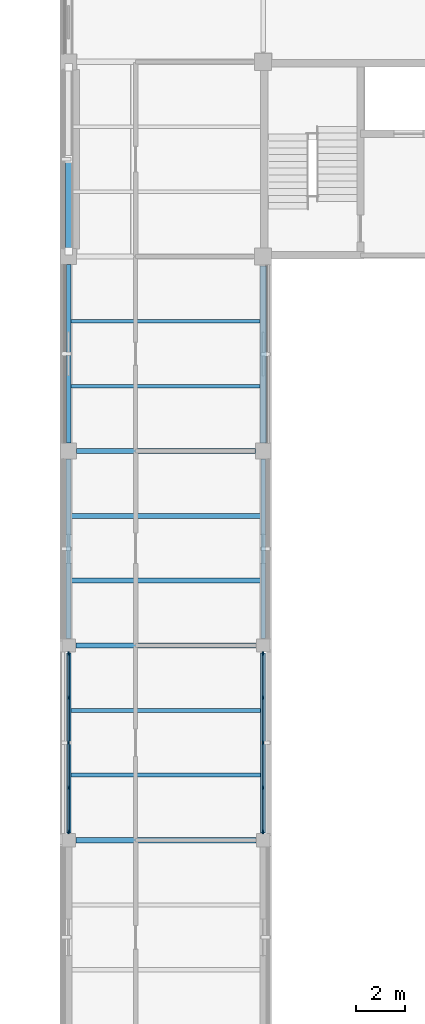
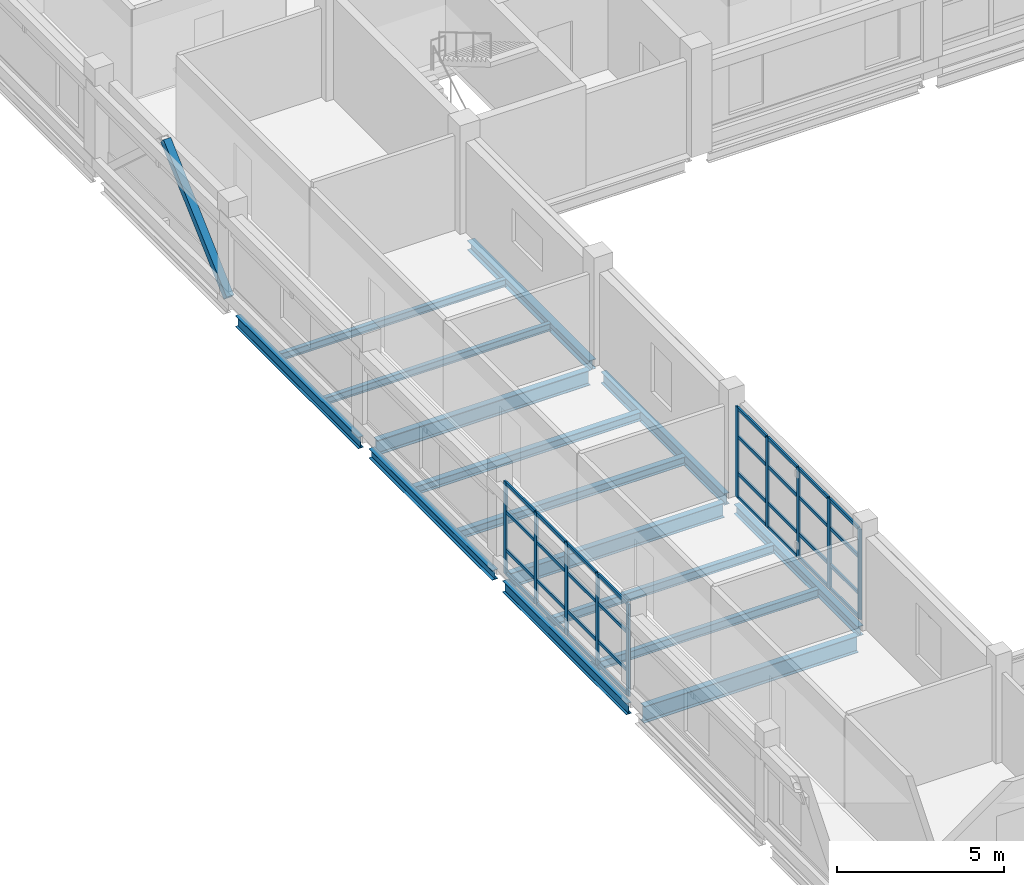
# One storey, part 27 of 107: 43 members, 15 beams, 2 elements without a shape of their own.
"""IFC4 building model written with IfcOpenShell, lengths in metres."""

import ifcopenshell
import ifcopenshell.guid

model = None  # the IFC model being written
_history = None  # IfcOwnerHistory: only IFC2X3 demands one
_inside = {}  # id of a spatial element -> (the spatial element, [elements in it])
_under = {}  # id of a project, library or spatial element -> (it, [spatial elements below it])
_declared = {}  # id of a project -> (the project, [libraries it declares])
_typed = {}  # id of a type object -> (the type object, [elements of that type])
_made_of = {}  # id of a material, layer set ... -> (it, [elements and type objects made of it])


def new_model(schema):
    """Start an empty IFC model of exactly this schema.

    Asked for "IFC4X3", IfcOpenShell would pick the latest addendum, in which some entities
    have other attributes; the version numbers below select the first issue.
    IFC2X3 requires an IfcOwnerHistory on every rooted entity: one is made here for all.
    """
    global model, _history
    if schema == "IFC4X3":
        model = ifcopenshell.file(schema_version=(4, 3, 0, 0))
    else:
        model = ifcopenshell.file(schema=schema)
    _inside.clear()
    _under.clear()
    _declared.clear()
    _typed.clear()
    _made_of.clear()
    _history = None
    if model.schema == "IFC2X3":
        org = make("IfcOrganization", Name="unknown")
        user = make(
            "IfcPersonAndOrganization",
            ThePerson=make("IfcPerson", FamilyName="unknown"),
            TheOrganization=org,
        )
        app = make(
            "IfcApplication",
            ApplicationDeveloper=org,
            Version="unknown",
            ApplicationFullName="unknown",
            ApplicationIdentifier="unknown",
        )
        _history = make(
            "IfcOwnerHistory",
            OwningUser=user,
            OwningApplication=app,
            ChangeAction="ADDED",
            CreationDate=0,
        )
    return model


def make(cls, **values):
    """One entity of the class cls with the attributes given. An attribute that is None is left unset."""
    return model.create_entity(
        cls, **{name: value for name, value in values.items() if value is not None}
    )


def rooted(cls, **values):
    """An entity with a GlobalId (a new one), such as an element, a storey or a relation."""
    return make(cls, GlobalId=ifcopenshell.guid.new(), OwnerHistory=_history, **values)


def si_unit(unit_type, name, prefix=None):
    """IfcSIUnit, for example si_unit("LENGTHUNIT", "METRE", prefix="MILLI")."""
    return make("IfcSIUnit", UnitType=unit_type, Prefix=prefix, Name=name)


def derived_unit(unit_type, elements):
    """IfcDerivedUnit: a product of units, each with its exponent."""
    return make(
        "IfcDerivedUnit",
        Elements=[
            make("IfcDerivedUnitElement", Unit=unit, Exponent=power)
            for unit, power in elements
        ],
        UnitType=unit_type,
    )


def assignment(units):
    """IfcUnitAssignment: the units of a project."""
    return None if units is None else make("IfcUnitAssignment", Units=units)


def point(xyz):
    """IfcCartesianPoint."""
    return None if xyz is None else make("IfcCartesianPoint", Coordinates=xyz)


def direction(xyz):
    """IfcDirection."""
    return None if xyz is None else make("IfcDirection", DirectionRatios=xyz)


def frame(location, z_axis=None, x_axis=None):
    """IfcAxis2Placement3D, a coordinate frame: its origin and axes. An axis left out is left unset."""
    return make(
        "IfcAxis2Placement3D",
        Location=point(location),
        Axis=direction(z_axis),
        RefDirection=direction(x_axis),
    )


def frame_2d(location, x_axis=None):
    """IfcAxis2Placement2D, a coordinate frame in the plane: its origin and x axis."""
    return make(
        "IfcAxis2Placement2D", Location=point(location), RefDirection=direction(x_axis)
    )


def origin():
    """The frame at (0, 0, 0) with its axes left unset."""
    return frame((0.0, 0.0, 0.0))


def origin_2d():
    """The frame at (0, 0) in the plane with its x axis left unset."""
    return frame_2d((0.0, 0.0))


def place(relative_to, where):
    """IfcLocalPlacement: puts the frame where relative to a parent placement (None: the world)."""
    return make(
        "IfcLocalPlacement", PlacementRelTo=relative_to, RelativePlacement=where
    )


def context(
    kind, dimensions, precision=None, world=None, true_north=None, identifier=None
):
    """IfcGeometricRepresentationContext, for example the 3D "Model" context."""
    return make(
        "IfcGeometricRepresentationContext",
        ContextIdentifier=identifier,
        ContextType=kind,
        CoordinateSpaceDimension=dimensions,
        Precision=precision,
        WorldCoordinateSystem=world,
        TrueNorth=true_north,
    )


def subcontext(parent, identifier, kind, view, scale=None):
    """IfcGeometricRepresentationSubContext, for example "Body" below "Model"."""
    return make(
        "IfcGeometricRepresentationSubContext",
        ContextIdentifier=identifier,
        ContextType=kind,
        ParentContext=parent,
        TargetScale=scale,
        TargetView=view,
    )


def project(units=None, contexts=None):
    """IfcProject with its units and contexts."""
    return rooted(
        "IfcProject",
        Name="project",
        RepresentationContexts=contexts,
        UnitsInContext=assignment(units),
    )


def spatial(cls, under=None, at=None, **own):
    """A site, building, storey or space (cls), placed at a placement, below another one or the project."""
    s = rooted(cls, ObjectPlacement=at, **own)
    if under is not None:
        _under.setdefault(under.id(), (under, []))[1].append(s)
    return s


def profile(cls, at=None, kind="AREA", **sizes):
    """A parametric profile (cls). Its sizes go by their IFC names, for example OverallWidth=200.0."""
    return make(cls, ProfileType=kind, Position=at, **sizes)


def rectangle(**sizes):
    """IfcRectangleProfileDef."""
    return profile("IfcRectangleProfileDef", **sizes)


def hollow_rectangle(**sizes):
    """IfcRectangleHollowProfileDef."""
    return profile("IfcRectangleHollowProfileDef", **sizes)


def i_section(**sizes):
    """IfcIShapeProfileDef."""
    return profile("IfcIShapeProfileDef", **sizes)


def extrude(swept, where, along, depth):
    """IfcExtrudedAreaSolid: the profile swept, set in the frame where, extruded along a direction by depth."""
    return make(
        "IfcExtrudedAreaSolid",
        SweptArea=swept,
        Position=where,
        ExtrudedDirection=direction(along),
        Depth=depth,
    )


def shape(context_of_items, identifier, shape_type, items):
    """IfcShapeRepresentation: the items that make up one representation, for example the "Body"."""
    return make(
        "IfcShapeRepresentation",
        ContextOfItems=context_of_items,
        RepresentationIdentifier=identifier,
        RepresentationType=shape_type,
        Items=items,
    )


def material(Name=None, Category=None):
    """IfcMaterial."""
    return make("IfcMaterial", Name=Name, Category=Category)


def layer(
    of_material, thickness, ventilated=None, Name=None, Category=None, Priority=None
):
    """IfcMaterialLayer: one layer of a wall or slab, of a material (None: an air gap)."""
    return make(
        "IfcMaterialLayer",
        Material=of_material,
        LayerThickness=thickness,
        IsVentilated=ventilated,
        Name=Name,
        Category=Category,
        Priority=Priority,
    )


def layer_set(layers, Name=None):
    """IfcMaterialLayerSet."""
    return make("IfcMaterialLayerSet", MaterialLayers=layers, LayerSetName=Name)


def material_profile(
    of_material, cross_section, Name=None, Category=None, Priority=None
):
    """IfcMaterialProfile: a cross section and its material."""
    return make(
        "IfcMaterialProfile",
        Name=Name,
        Material=of_material,
        Profile=cross_section,
        Priority=Priority,
        Category=Category,
    )


def profile_set(profiles, Name=None, composite=None):
    """IfcMaterialProfileSet."""
    return make(
        "IfcMaterialProfileSet",
        Name=Name,
        MaterialProfiles=profiles,
        CompositeProfile=composite,
    )


def made_of(thing, what):
    """Note that an element or type object is made of a material, layer set ...; save() writes the relation."""
    if what is not None:
        _made_of.setdefault(what.id(), (what, []))[1].append(thing)
    return thing


def type_object(cls, material=None, **own):
    """A type object (cls), such as IfcWallType, which elements share."""
    return made_of(rooted(cls, **own), material)


def element(
    cls,
    number,
    at=None,
    inside=None,
    cuts=None,
    type_object=None,
    material=None,
    context=None,
    identifier="Body",
    shape_type=None,
    held_by="IfcProductDefinitionShape",
    body=None,
    shapes=None,
    **own,
):
    """One element of the class cls, such as IfcWall. Its Tag is "e" and its number.

    at: its placement. inside: the storey or other place that contains it. cuts: it is an
    opening in that element (IfcRelVoidsElement). A single representation is given by context,
    identifier, shape_type and body (its items); several are given by shapes. held_by: the class
    of the entity that holds the representations. save() writes the other relations.
    """
    e = rooted(cls, Tag="e%d" % number, ObjectPlacement=at, **own)
    if body is not None:
        shapes = [shape(context, identifier, shape_type, body)]
    if shapes is not None:
        e.Representation = make(held_by, Representations=shapes)
    if inside is not None:
        _inside.setdefault(inside.id(), (inside, []))[1].append(e)
    if cuts is not None:
        rooted(
            "IfcRelVoidsElement", RelatingBuildingElement=cuts, RelatedOpeningElement=e
        )
    if type_object is not None:
        _typed.setdefault(type_object.id(), (type_object, []))[1].append(e)
    return made_of(e, material)


def aggregate(whole, parts):
    """IfcRelAggregates: a whole, such as a stair, and the parts it consists of."""
    return rooted("IfcRelAggregates", RelatingObject=whole, RelatedObjects=parts)


def save(model, path):
    """Write the relations noted so far, then the file.

    IfcRelAggregates (storeys below a building ...), IfcRelContainedInSpatialStructure (elements
    in a storey), IfcRelDefinesByType, IfcRelAssociatesMaterial and IfcRelDeclares: one each for
    every whole, place, type object, material and project.
    """
    for whole, parts in _under.values():
        aggregate(whole, parts)
    for where, things in _inside.values():
        rooted(
            "IfcRelContainedInSpatialStructure",
            RelatedElements=things,
            RelatingStructure=where,
        )
    for kind, things in _typed.values():
        rooted("IfcRelDefinesByType", RelatedObjects=things, RelatingType=kind)
    for what, things in _made_of.values():
        rooted("IfcRelAssociatesMaterial", RelatedObjects=things, RelatingMaterial=what)
    for by, libraries in _declared.values():
        rooted("IfcRelDeclares", RelatingContext=by, RelatedDefinitions=libraries)
    model.write(path)


model = new_model("IFC4")

# Units and contexts
model_context = context("Model", 3, precision=1e-05, world=origin(), true_north=direction((0.0, 1.0)))
body_context = subcontext(model_context, "Body", "Model", "MODEL_VIEW")
ifc_project = project(units=[si_unit("LENGTHUNIT", "METRE"), si_unit("AREAUNIT", "SQUARE_METRE"), si_unit("VOLUMEUNIT", "CUBIC_METRE"), si_unit("PLANEANGLEUNIT", "RADIAN"), si_unit("MASSUNIT", "GRAM", prefix="KILO"), derived_unit("THERMALTRANSMITTANCEUNIT", [(si_unit("MASSUNIT", "GRAM", prefix="KILO"), 1), (si_unit("TIMEUNIT", "SECOND"), -3), (si_unit("THERMODYNAMICTEMPERATUREUNIT", "KELVIN"), -1)])], contexts=[model_context])

# Site, building, storey
site_placement = place(None, origin())
site = spatial("IfcSite", under=ifc_project, at=site_placement, CompositionType="ELEMENT")
building_placement = place(site_placement, origin())
building = spatial("IfcBuilding", under=site, at=building_placement, Name="Veyamyaing Civic Hall", CompositionType="ELEMENT")
storey_placement = place(building_placement, frame((0.0, 0.0, 13.860107421875)))
storey = spatial("IfcBuildingStorey", under=building, at=storey_placement, Name="L03", CompositionType="ELEMENT", Elevation=13.860107421875)

# Beams
ifc_material_1 = material(Name="Steel ASTM A992", Category="steel")
ifc_material_profile_1 = material_profile(ifc_material_1, i_section(OverallWidth=0.22802734375, OverallDepth=0.60791015625, WebThickness=0.01123046875, FlangeThickness=0.017333984375, FilletRadius=0.012939453125, at=origin_2d()), Name="W610X113")
ifc_profile_set_1 = profile_set([ifc_material_profile_1], Name="Steel ASTM A992")
beam_type_1 = type_object("IfcBeamType", Name="B-06", PredefinedType="BEAM", material=ifc_profile_set_1)
beam_1_placement = place(storey_placement, frame((0.300048828125, 64.0, -0.55908203125), z_axis=(1.0, 0.0, 0.0), x_axis=(0.0, 1.0, 0.0)))
element("IfcBeam", 1, at=beam_1_placement, inside=storey, type_object=beam_type_1, Name="Girder B-06 L03 Grid J 1-2", PredefinedType="BEAM", context=body_context, shape_type="SweptSolid", body=[
    extrude(i_section(OverallWidth=0.22802734375, OverallDepth=0.60791015625, WebThickness=0.01123046875, FlangeThickness=0.017333984375, FilletRadius=0.012939453125, at=origin_2d()), origin(), (0.0, 0.0, 1.0), 7.39990234375),
])
ifc_material_profile_2 = material_profile(ifc_material_1, i_section(OverallWidth=0.208984375, OverallDepth=0.532958984375, WebThickness=0.01025390625, FlangeThickness=0.015625, FilletRadius=0.011962890625, at=origin_2d()), Name="W530X92")
ifc_profile_set_2 = profile_set([ifc_material_profile_2], Name="Steel ASTM A992")
beam_type_2 = type_object("IfcBeamType", Name="B-07", PredefinedType="BEAM", material=ifc_profile_set_2)
beam_2_placement = place(storey_placement, frame((0.300048828125, 72.0, -0.521728515625), z_axis=(1.0, 0.0, 0.0), x_axis=(0.0, 1.0, 0.0)))
element("IfcBeam", 2, at=beam_2_placement, inside=storey, type_object=beam_type_2, Name="Girder B-07 L03 Grid K 1-2", PredefinedType="BEAM", context=body_context, shape_type="SweptSolid", body=[
    extrude(i_section(OverallWidth=0.208984375, OverallDepth=0.532958984375, WebThickness=0.01025390625, FlangeThickness=0.015625, FilletRadius=0.011962890625, at=origin_2d()), origin(), (0.0, 0.0, 1.0), 7.39990234375),
])
ifc_material_profile_3 = material_profile(ifc_material_1, i_section(OverallWidth=0.179931640625, OverallDepth=0.4130859375, WebThickness=0.009765625, FlangeThickness=0.01611328125, FilletRadius=0.010009765625, at=origin_2d()), Name="W410X74")
ifc_profile_set_3 = profile_set([ifc_material_profile_3], Name="Steel ASTM A992")
beam_type_3 = type_object("IfcBeamType", Name="B-10", PredefinedType="SPANDREL", material=ifc_profile_set_3)
beam_3_placement = place(storey_placement, frame((0.0, 64.300048828125, -0.461669921875), z_axis=(0.0, 1.0, 0.0), x_axis=(-1.0, 0.0, 0.0)))
element("IfcBeam", 3, at=beam_3_placement, inside=storey, type_object=beam_type_3, Name="Girder B-10 L03 Grid 1 J-K", PredefinedType="SPANDREL", context=body_context, shape_type="SweptSolid", body=[
    extrude(i_section(OverallWidth=0.179931640625, OverallDepth=0.4130859375, WebThickness=0.009765625, FlangeThickness=0.01611328125, FilletRadius=0.010009765625, at=origin_2d()), origin(), (0.0, 0.0, 1.0), 7.39990234375),
])
ifc_material_profile_4 = material_profile(ifc_material_1, i_section(OverallWidth=0.2041015625, OverallDepth=0.35009765625, WebThickness=0.0078125, FlangeThickness=0.01513671875, FilletRadius=0.010009765625, at=origin_2d()), Name="W360X72")
ifc_profile_set_4 = profile_set([ifc_material_profile_4], Name="Steel ASTM A992")
beam_type_4 = type_object("IfcBeamType", Name="B-11", PredefinedType="SPANDREL", material=ifc_profile_set_4)
beam_4_placement = place(storey_placement, frame((0.0, 72.300048828125, -0.43017578125), z_axis=(0.0, 1.0, 0.0), x_axis=(-1.0, 0.0, 0.0)))
element("IfcBeam", 4, at=beam_4_placement, inside=storey, type_object=beam_type_4, Name="Girder B-11 L03 Grid 1 K-L", PredefinedType="SPANDREL", context=body_context, shape_type="SweptSolid", body=[
    extrude(i_section(OverallWidth=0.2041015625, OverallDepth=0.35009765625, WebThickness=0.0078125, FlangeThickness=0.01513671875, FilletRadius=0.010009765625, at=origin_2d()), origin(), (0.0, 0.0, 1.0), 7.375),
])
beam_5_placement = place(storey_placement, frame((8.0, 64.300048828125, -0.43017578125), z_axis=(0.0, 1.0, 0.0), x_axis=(-1.0, 0.0, 0.0)))
element("IfcBeam", 5, at=beam_5_placement, inside=storey, type_object=beam_type_4, Name="Girder B-11 L03 Grid 2 J-K", PredefinedType="SPANDREL", context=body_context, shape_type="SweptSolid", body=[
    extrude(i_section(OverallWidth=0.2041015625, OverallDepth=0.35009765625, WebThickness=0.0078125, FlangeThickness=0.01513671875, FilletRadius=0.010009765625, at=origin_2d()), origin(), (0.0, 0.0, 1.0), 7.39990234375),
])
ifc_material_profile_5 = material_profile(ifc_material_1, i_section(OverallWidth=0.214111328125, OverallDepth=0.549072265625, WebThickness=0.0146484375, FlangeThickness=0.023681640625, FilletRadius=0.011962890625, at=origin_2d()), Name="W530X138")
ifc_profile_set_5 = profile_set([ifc_material_profile_5], Name="Steel ASTM A992")
beam_type_5 = type_object("IfcBeamType", Name="B-16", PredefinedType="BEAM", material=ifc_profile_set_5)
beam_6_placement = place(storey_placement, frame((0.324951171875, 80.0, -0.529541015625), z_axis=(1.0, 0.0, 0.0), x_axis=(0.0, 1.0, 0.0)))
element("IfcBeam", 6, at=beam_6_placement, inside=storey, type_object=beam_type_5, Name="Girder B-16 L03 Grid L 1-2", PredefinedType="BEAM", context=body_context, shape_type="SweptSolid", body=[
    extrude(i_section(OverallWidth=0.214111328125, OverallDepth=0.549072265625, WebThickness=0.0146484375, FlangeThickness=0.023681640625, FilletRadius=0.011962890625, at=origin_2d()), origin(), (0.0, 0.0, 1.0), 7.35009765625),
])
ifc_material_profile_6 = material_profile(ifc_material_1, i_section(OverallWidth=0.180908203125, OverallDepth=0.4169921875, WebThickness=0.010986328125, FlangeThickness=0.018310546875, FilletRadius=0.010009765625, at=origin_2d()), Name="W410X85")
ifc_profile_set_6 = profile_set([ifc_material_profile_6], Name="Steel ASTM A992")
beam_type_6 = type_object("IfcBeamType", Name="B-19", PredefinedType="SPANDREL", material=ifc_profile_set_6)
beam_7_placement = place(storey_placement, frame((0.0, 80.324951171875, -0.463623046875), z_axis=(0.0, 1.0, 0.0), x_axis=(-1.0, 0.0, 0.0)))
element("IfcBeam", 7, at=beam_7_placement, inside=storey, type_object=beam_type_6, Name="Girder B-19 L03 Grid 1 L-M", PredefinedType="SPANDREL", context=body_context, shape_type="SweptSolid", body=[
    extrude(i_section(OverallWidth=0.180908203125, OverallDepth=0.4169921875, WebThickness=0.010986328125, FlangeThickness=0.018310546875, FilletRadius=0.010009765625, at=origin_2d()), origin(), (0.0, 0.0, 1.0), 7.35009765625),
])
beam_8_placement = place(storey_placement, frame((8.0, 72.300048828125, -0.463623046875), z_axis=(0.0, 1.0, 0.0), x_axis=(-1.0, 0.0, 0.0)))
element("IfcBeam", 8, at=beam_8_placement, inside=storey, type_object=beam_type_6, Name="Girder B-19 L03 Grid 2 K-L", PredefinedType="SPANDREL", context=body_context, shape_type="SweptSolid", body=[
    extrude(i_section(OverallWidth=0.180908203125, OverallDepth=0.4169921875, WebThickness=0.010986328125, FlangeThickness=0.018310546875, FilletRadius=0.010009765625, at=origin_2d()), origin(), (0.0, 0.0, 1.0), 7.375),
])
ifc_material_profile_7 = material_profile(ifc_material_1, i_section(OverallWidth=0.25390625, OverallDepth=0.35302734375, WebThickness=0.009521484375, FlangeThickness=0.016357421875, FilletRadius=0.011962890625, at=origin_2d()), Name="W360X91")
ifc_profile_set_7 = profile_set([ifc_material_profile_7], Name="Steel ASTM A992")
beam_type_7 = type_object("IfcBeamType", Name="B-20", PredefinedType="SPANDREL", material=ifc_profile_set_7)
beam_9_placement = place(storey_placement, frame((8.0, 80.324951171875, -0.431640625), z_axis=(0.0, 1.0, 0.0), x_axis=(-1.0, 0.0, 0.0)))
element("IfcBeam", 9, at=beam_9_placement, inside=storey, type_object=beam_type_7, Name="Girder B-20 L03 Grid 2 L-M", PredefinedType="SPANDREL", context=body_context, shape_type="SweptSolid", body=[
    extrude(i_section(OverallWidth=0.25390625, OverallDepth=0.35302734375, WebThickness=0.009521484375, FlangeThickness=0.016357421875, FilletRadius=0.011962890625, at=origin_2d()), origin(), (0.0, 0.0, 1.0), 7.275146484375),
])

# Member
ifc_material_2 = material(Name="Steel S355J2", Category="steel")
ifc_material_profile_8 = material_profile(ifc_material_2, hollow_rectangle(XDim=0.25390625, YDim=0.25390625, WallThickness=0.0126953125, at=origin_2d()), Name="HSS254X254X12.7")
ifc_profile_set_8 = profile_set([ifc_material_profile_8], Name="Steel S355J2")
member_type_1 = type_object("IfcMemberType", Name="BR-01", PredefinedType="BRACE", material=ifc_profile_set_8)
member_1_placement = place(storey_placement, frame((0.0, 88.219970703125, 0.0498046875), z_axis=(0.0, 0.73762264058, 0.675213181227), x_axis=(-1.0, 0.0, 0.0)))
element("IfcMember", 10, at=member_1_placement, inside=storey, type_object=member_type_1, Name="Seismic chevron brace BR-01 BF-NW L03.L", PredefinedType="BRACE", context=body_context, shape_type="SweptSolid", body=[
    extrude(hollow_rectangle(XDim=0.25390625, YDim=0.25390625, WallThickness=0.0126953125, at=origin_2d()), origin(), (0.0, 0.0, 1.0), 5.12451171875),
])

# Curtain wall, members
ifc_material_3 = material(Name="Anodised aluminium 6063-T6", Category="aluminium")
ifc_layer = layer(ifc_material_3, 0.159912109375, Name="Anodised aluminium 6063-T6")
ifc_layer_set = layer_set([ifc_layer], Name="Anodised aluminium 6063-T6")
curtain_wall_type = type_object("IfcCurtainWallType", Name="CW-07", PredefinedType="NOTDEFINED", material=ifc_layer_set)
curtain_wall_1_placement = place(storey_placement, origin())
curtain_wall_1 = element("IfcCurtainWall", 11, at=curtain_wall_1_placement, inside=storey, type_object=curtain_wall_type, Name="Unitized curtain wall CW-07 L03 W 1.9", PredefinedType="NOTDEFINED")
ifc_material_profile_9 = material_profile(ifc_material_3, rectangle(XDim=0.06494140625, YDim=0.159912109375, at=origin_2d()), Name="ALU-MUL-65X160")
ifc_profile_set_9 = profile_set([ifc_material_profile_9], Name="Anodised aluminium 6063-T6")
member_type_2 = type_object("IfcMemberType", Name="CWM-01", PredefinedType="MULLION", material=ifc_profile_set_9)
member_2_placement = place(storey_placement, frame((0.0, 64.33740234375, 0.0), z_axis=(0.0, 0.0, 1.0), x_axis=(-1.0, 0.0, 0.0)))
member_2 = element("IfcMember", 12, at=member_2_placement, type_object=member_type_2, Name="CW-07 mullion 1", PredefinedType="MULLION", context=body_context, shape_type="SweptSolid", body=[
    extrude(rectangle(XDim=0.06494140625, YDim=0.159912109375, at=origin_2d()), origin(), (0.0, 0.0, 1.0), 3.366943359375),
])
member_3_placement = place(storey_placement, frame((0.0, 66.152587890625, 0.0), z_axis=(0.0, 0.0, 1.0), x_axis=(-1.0, 0.0, 0.0)))
member_3 = element("IfcMember", 13, at=member_3_placement, type_object=member_type_2, Name="CW-07 mullion 2", PredefinedType="MULLION", context=body_context, shape_type="SweptSolid", body=[
    extrude(rectangle(XDim=0.06494140625, YDim=0.159912109375, at=origin_2d()), origin(), (0.0, 0.0, 1.0), 3.366943359375),
])
member_4_placement = place(storey_placement, frame((0.0, 68.0, 0.0), z_axis=(0.0, 0.0, 1.0), x_axis=(-1.0, 0.0, 0.0)))
member_4 = element("IfcMember", 14, at=member_4_placement, type_object=member_type_2, Name="CW-07 mullion 3", PredefinedType="MULLION", context=body_context, shape_type="SweptSolid", body=[
    extrude(rectangle(XDim=0.06494140625, YDim=0.159912109375, at=origin_2d()), origin(), (0.0, 0.0, 1.0), 3.366943359375),
])
member_5_placement = place(storey_placement, frame((0.0, 69.847412109375, 0.0), z_axis=(0.0, 0.0, 1.0), x_axis=(-1.0, 0.0, 0.0)))
member_5 = element("IfcMember", 15, at=member_5_placement, type_object=member_type_2, Name="CW-07 mullion 4", PredefinedType="MULLION", context=body_context, shape_type="SweptSolid", body=[
    extrude(rectangle(XDim=0.06494140625, YDim=0.159912109375, at=origin_2d()), origin(), (0.0, 0.0, 1.0), 3.366943359375),
])
member_6_placement = place(storey_placement, frame((0.0, 71.66259765625, 0.0), z_axis=(0.0, 0.0, 1.0), x_axis=(-1.0, 0.0, 0.0)))
member_6 = element("IfcMember", 16, at=member_6_placement, type_object=member_type_2, Name="CW-07 mullion 5", PredefinedType="MULLION", context=body_context, shape_type="SweptSolid", body=[
    extrude(rectangle(XDim=0.06494140625, YDim=0.159912109375, at=origin_2d()), origin(), (0.0, 0.0, 1.0), 3.366943359375),
])

curtain_wall_2_placement = place(storey_placement, origin())
curtain_wall_2 = element("IfcCurtainWall", 17, at=curtain_wall_2_placement, inside=storey, type_object=curtain_wall_type, Name="Unitized curtain wall CW-07 L03 E 1.9", PredefinedType="NOTDEFINED")
member_7_placement = place(storey_placement, frame((8.0, 64.33740234375, 0.0), z_axis=(0.0, 0.0, 1.0), x_axis=(-1.0, 0.0, 0.0)))
member_7 = element("IfcMember", 18, at=member_7_placement, type_object=member_type_2, Name="CW-07 mullion 1", PredefinedType="MULLION", context=body_context, shape_type="SweptSolid", body=[
    extrude(rectangle(XDim=0.06494140625, YDim=0.159912109375, at=origin_2d()), origin(), (0.0, 0.0, 1.0), 3.2998046875),
])
member_8_placement = place(storey_placement, frame((8.0, 66.152587890625, 0.0), z_axis=(0.0, 0.0, 1.0), x_axis=(-1.0, 0.0, 0.0)))
member_8 = element("IfcMember", 19, at=member_8_placement, type_object=member_type_2, Name="CW-07 mullion 2", PredefinedType="MULLION", context=body_context, shape_type="SweptSolid", body=[
    extrude(rectangle(XDim=0.06494140625, YDim=0.159912109375, at=origin_2d()), origin(), (0.0, 0.0, 1.0), 3.2998046875),
])
member_9_placement = place(storey_placement, frame((8.0, 68.0, 0.0), z_axis=(0.0, 0.0, 1.0), x_axis=(-1.0, 0.0, 0.0)))
member_9 = element("IfcMember", 20, at=member_9_placement, type_object=member_type_2, Name="CW-07 mullion 3", PredefinedType="MULLION", context=body_context, shape_type="SweptSolid", body=[
    extrude(rectangle(XDim=0.06494140625, YDim=0.159912109375, at=origin_2d()), origin(), (0.0, 0.0, 1.0), 3.2998046875),
])
member_10_placement = place(storey_placement, frame((8.0, 69.847412109375, 0.0), z_axis=(0.0, 0.0, 1.0), x_axis=(-1.0, 0.0, 0.0)))
member_10 = element("IfcMember", 21, at=member_10_placement, type_object=member_type_2, Name="CW-07 mullion 4", PredefinedType="MULLION", context=body_context, shape_type="SweptSolid", body=[
    extrude(rectangle(XDim=0.06494140625, YDim=0.159912109375, at=origin_2d()), origin(), (0.0, 0.0, 1.0), 3.2998046875),
])
member_11_placement = place(storey_placement, frame((8.0, 71.66259765625, 0.0), z_axis=(0.0, 0.0, 1.0), x_axis=(-1.0, 0.0, 0.0)))
member_11 = element("IfcMember", 22, at=member_11_placement, type_object=member_type_2, Name="CW-07 mullion 5", PredefinedType="MULLION", context=body_context, shape_type="SweptSolid", body=[
    extrude(rectangle(XDim=0.06494140625, YDim=0.159912109375, at=origin_2d()), origin(), (0.0, 0.0, 1.0), 3.2998046875),
])

# Member
ifc_material_profile_10 = material_profile(ifc_material_3, rectangle(XDim=0.06494140625, YDim=0.1201171875, at=origin_2d()), Name="ALU-TRN-65X120")
ifc_profile_set_10 = profile_set([ifc_material_profile_10], Name="Anodised aluminium 6063-T6")
member_type_3 = type_object("IfcMemberType", Name="CWT-01", PredefinedType="USERDEFINED", material=ifc_profile_set_10)
member_12_placement = place(storey_placement, frame((0.0, 64.3701171875, 0.032470703125), z_axis=(0.0, 1.0, 0.0), x_axis=(-1.0, 0.0, 0.0)))
member_12 = element("IfcMember", 23, at=member_12_placement, type_object=member_type_3, Name="CW-07 transom 1.1", ObjectType="TRANSOM", PredefinedType="USERDEFINED", context=body_context, shape_type="SweptSolid", body=[
    extrude(rectangle(XDim=0.06494140625, YDim=0.1201171875, at=origin_2d()), origin(), (0.0, 0.0, 1.0), 1.75),
])

member_13_placement = place(storey_placement, frame((0.0, 64.3701171875, 0.89990234375), z_axis=(0.0, 1.0, 0.0), x_axis=(-1.0, 0.0, 0.0)))
member_13 = element("IfcMember", 24, at=member_13_placement, type_object=member_type_3, Name="CW-07 transom 1.2", ObjectType="TRANSOM", PredefinedType="USERDEFINED", context=body_context, shape_type="SweptSolid", body=[
    extrude(rectangle(XDim=0.06494140625, YDim=0.1201171875, at=origin_2d()), origin(), (0.0, 0.0, 1.0), 1.75),
])

member_14_placement = place(storey_placement, frame((0.0, 64.3701171875, 2.28955078125), z_axis=(0.0, 1.0, 0.0), x_axis=(-1.0, 0.0, 0.0)))
member_14 = element("IfcMember", 25, at=member_14_placement, type_object=member_type_3, Name="CW-07 transom 1.3", ObjectType="TRANSOM", PredefinedType="USERDEFINED", context=body_context, shape_type="SweptSolid", body=[
    extrude(rectangle(XDim=0.06494140625, YDim=0.1201171875, at=origin_2d()), origin(), (0.0, 0.0, 1.0), 1.75),
])

member_15_placement = place(storey_placement, frame((0.0, 64.3701171875, 3.33447265625), z_axis=(0.0, 1.0, 0.0), x_axis=(-1.0, 0.0, 0.0)))
member_15 = element("IfcMember", 26, at=member_15_placement, type_object=member_type_3, Name="CW-07 transom 1.4", ObjectType="TRANSOM", PredefinedType="USERDEFINED", context=body_context, shape_type="SweptSolid", body=[
    extrude(rectangle(XDim=0.06494140625, YDim=0.1201171875, at=origin_2d()), origin(), (0.0, 0.0, 1.0), 1.75),
])

member_16_placement = place(storey_placement, frame((0.0, 66.18505859375, 0.032470703125), z_axis=(0.0, 1.0, 0.0), x_axis=(-1.0, 0.0, 0.0)))
member_16 = element("IfcMember", 27, at=member_16_placement, type_object=member_type_3, Name="CW-07 transom 2.1", ObjectType="TRANSOM", PredefinedType="USERDEFINED", context=body_context, shape_type="SweptSolid", body=[
    extrude(rectangle(XDim=0.06494140625, YDim=0.1201171875, at=origin_2d()), origin(), (0.0, 0.0, 1.0), 1.782470703125),
])

member_17_placement = place(storey_placement, frame((0.0, 66.18505859375, 0.89990234375), z_axis=(0.0, 1.0, 0.0), x_axis=(-1.0, 0.0, 0.0)))
member_17 = element("IfcMember", 28, at=member_17_placement, type_object=member_type_3, Name="CW-07 transom 2.2", ObjectType="TRANSOM", PredefinedType="USERDEFINED", context=body_context, shape_type="SweptSolid", body=[
    extrude(rectangle(XDim=0.06494140625, YDim=0.1201171875, at=origin_2d()), origin(), (0.0, 0.0, 1.0), 1.782470703125),
])

member_18_placement = place(storey_placement, frame((0.0, 66.18505859375, 2.28955078125), z_axis=(0.0, 1.0, 0.0), x_axis=(-1.0, 0.0, 0.0)))
member_18 = element("IfcMember", 29, at=member_18_placement, type_object=member_type_3, Name="CW-07 transom 2.3", ObjectType="TRANSOM", PredefinedType="USERDEFINED", context=body_context, shape_type="SweptSolid", body=[
    extrude(rectangle(XDim=0.06494140625, YDim=0.1201171875, at=origin_2d()), origin(), (0.0, 0.0, 1.0), 1.782470703125),
])

member_19_placement = place(storey_placement, frame((0.0, 66.18505859375, 3.33447265625), z_axis=(0.0, 1.0, 0.0), x_axis=(-1.0, 0.0, 0.0)))
member_19 = element("IfcMember", 30, at=member_19_placement, type_object=member_type_3, Name="CW-07 transom 2.4", ObjectType="TRANSOM", PredefinedType="USERDEFINED", context=body_context, shape_type="SweptSolid", body=[
    extrude(rectangle(XDim=0.06494140625, YDim=0.1201171875, at=origin_2d()), origin(), (0.0, 0.0, 1.0), 1.782470703125),
])

member_20_placement = place(storey_placement, frame((0.0, 68.032470703125, 0.032470703125), z_axis=(0.0, 1.0, 0.0), x_axis=(-1.0, 0.0, 0.0)))
member_20 = element("IfcMember", 31, at=member_20_placement, type_object=member_type_3, Name="CW-07 transom 3.1", ObjectType="TRANSOM", PredefinedType="USERDEFINED", context=body_context, shape_type="SweptSolid", body=[
    extrude(rectangle(XDim=0.06494140625, YDim=0.1201171875, at=origin_2d()), origin(), (0.0, 0.0, 1.0), 1.782470703125),
])

member_21_placement = place(storey_placement, frame((0.0, 68.032470703125, 0.89990234375), z_axis=(0.0, 1.0, 0.0), x_axis=(-1.0, 0.0, 0.0)))
member_21 = element("IfcMember", 32, at=member_21_placement, type_object=member_type_3, Name="CW-07 transom 3.2", ObjectType="TRANSOM", PredefinedType="USERDEFINED", context=body_context, shape_type="SweptSolid", body=[
    extrude(rectangle(XDim=0.06494140625, YDim=0.1201171875, at=origin_2d()), origin(), (0.0, 0.0, 1.0), 1.782470703125),
])

member_22_placement = place(storey_placement, frame((0.0, 68.032470703125, 2.28955078125), z_axis=(0.0, 1.0, 0.0), x_axis=(-1.0, 0.0, 0.0)))
member_22 = element("IfcMember", 33, at=member_22_placement, type_object=member_type_3, Name="CW-07 transom 3.3", ObjectType="TRANSOM", PredefinedType="USERDEFINED", context=body_context, shape_type="SweptSolid", body=[
    extrude(rectangle(XDim=0.06494140625, YDim=0.1201171875, at=origin_2d()), origin(), (0.0, 0.0, 1.0), 1.782470703125),
])

member_23_placement = place(storey_placement, frame((0.0, 68.032470703125, 3.33447265625), z_axis=(0.0, 1.0, 0.0), x_axis=(-1.0, 0.0, 0.0)))
member_23 = element("IfcMember", 34, at=member_23_placement, type_object=member_type_3, Name="CW-07 transom 3.4", ObjectType="TRANSOM", PredefinedType="USERDEFINED", context=body_context, shape_type="SweptSolid", body=[
    extrude(rectangle(XDim=0.06494140625, YDim=0.1201171875, at=origin_2d()), origin(), (0.0, 0.0, 1.0), 1.782470703125),
])

member_24_placement = place(storey_placement, frame((0.0, 69.8798828125, 0.032470703125), z_axis=(0.0, 1.0, 0.0), x_axis=(-1.0, 0.0, 0.0)))
member_24 = element("IfcMember", 35, at=member_24_placement, type_object=member_type_3, Name="CW-07 transom 4.1", ObjectType="TRANSOM", PredefinedType="USERDEFINED", context=body_context, shape_type="SweptSolid", body=[
    extrude(rectangle(XDim=0.06494140625, YDim=0.1201171875, at=origin_2d()), origin(), (0.0, 0.0, 1.0), 1.75),
])

member_25_placement = place(storey_placement, frame((0.0, 69.8798828125, 0.89990234375), z_axis=(0.0, 1.0, 0.0), x_axis=(-1.0, 0.0, 0.0)))
member_25 = element("IfcMember", 36, at=member_25_placement, type_object=member_type_3, Name="CW-07 transom 4.2", ObjectType="TRANSOM", PredefinedType="USERDEFINED", context=body_context, shape_type="SweptSolid", body=[
    extrude(rectangle(XDim=0.06494140625, YDim=0.1201171875, at=origin_2d()), origin(), (0.0, 0.0, 1.0), 1.75),
])

member_26_placement = place(storey_placement, frame((0.0, 69.8798828125, 2.28955078125), z_axis=(0.0, 1.0, 0.0), x_axis=(-1.0, 0.0, 0.0)))
member_26 = element("IfcMember", 37, at=member_26_placement, type_object=member_type_3, Name="CW-07 transom 4.3", ObjectType="TRANSOM", PredefinedType="USERDEFINED", context=body_context, shape_type="SweptSolid", body=[
    extrude(rectangle(XDim=0.06494140625, YDim=0.1201171875, at=origin_2d()), origin(), (0.0, 0.0, 1.0), 1.75),
])

member_27_placement = place(storey_placement, frame((0.0, 69.8798828125, 3.33447265625), z_axis=(0.0, 1.0, 0.0), x_axis=(-1.0, 0.0, 0.0)))
member_27 = element("IfcMember", 38, at=member_27_placement, type_object=member_type_3, Name="CW-07 transom 4.4", ObjectType="TRANSOM", PredefinedType="USERDEFINED", context=body_context, shape_type="SweptSolid", body=[
    extrude(rectangle(XDim=0.06494140625, YDim=0.1201171875, at=origin_2d()), origin(), (0.0, 0.0, 1.0), 1.75),
])

aggregate(curtain_wall_1, [member_2, member_3, member_4, member_5, member_6, member_12, member_13, member_14, member_15, member_16, member_17, member_18, member_19, member_20, member_21, member_22, member_23, member_24, member_25, member_26, member_27])

member_28_placement = place(storey_placement, frame((8.0, 64.3701171875, 0.032470703125), z_axis=(0.0, 1.0, 0.0), x_axis=(-1.0, 0.0, 0.0)))
member_28 = element("IfcMember", 39, at=member_28_placement, type_object=member_type_3, Name="CW-07 transom 1.1", ObjectType="TRANSOM", PredefinedType="USERDEFINED", context=body_context, shape_type="SweptSolid", body=[
    extrude(rectangle(XDim=0.06494140625, YDim=0.1201171875, at=origin_2d()), origin(), (0.0, 0.0, 1.0), 1.75),
])

member_29_placement = place(storey_placement, frame((8.0, 64.3701171875, 0.89990234375), z_axis=(0.0, 1.0, 0.0), x_axis=(-1.0, 0.0, 0.0)))
member_29 = element("IfcMember", 40, at=member_29_placement, type_object=member_type_3, Name="CW-07 transom 1.2", ObjectType="TRANSOM", PredefinedType="USERDEFINED", context=body_context, shape_type="SweptSolid", body=[
    extrude(rectangle(XDim=0.06494140625, YDim=0.1201171875, at=origin_2d()), origin(), (0.0, 0.0, 1.0), 1.75),
])

member_30_placement = place(storey_placement, frame((8.0, 64.3701171875, 2.243896484375), z_axis=(0.0, 1.0, 0.0), x_axis=(-1.0, 0.0, 0.0)))
member_30 = element("IfcMember", 41, at=member_30_placement, type_object=member_type_3, Name="CW-07 transom 1.3", ObjectType="TRANSOM", PredefinedType="USERDEFINED", context=body_context, shape_type="SweptSolid", body=[
    extrude(rectangle(XDim=0.06494140625, YDim=0.1201171875, at=origin_2d()), origin(), (0.0, 0.0, 1.0), 1.75),
])

member_31_placement = place(storey_placement, frame((8.0, 64.3701171875, 3.267333984375), z_axis=(0.0, 1.0, 0.0), x_axis=(-1.0, 0.0, 0.0)))
member_31 = element("IfcMember", 42, at=member_31_placement, type_object=member_type_3, Name="CW-07 transom 1.4", ObjectType="TRANSOM", PredefinedType="USERDEFINED", context=body_context, shape_type="SweptSolid", body=[
    extrude(rectangle(XDim=0.06494140625, YDim=0.1201171875, at=origin_2d()), origin(), (0.0, 0.0, 1.0), 1.75),
])

member_32_placement = place(storey_placement, frame((8.0, 66.18505859375, 0.032470703125), z_axis=(0.0, 1.0, 0.0), x_axis=(-1.0, 0.0, 0.0)))
member_32 = element("IfcMember", 43, at=member_32_placement, type_object=member_type_3, Name="CW-07 transom 2.1", ObjectType="TRANSOM", PredefinedType="USERDEFINED", context=body_context, shape_type="SweptSolid", body=[
    extrude(rectangle(XDim=0.06494140625, YDim=0.1201171875, at=origin_2d()), origin(), (0.0, 0.0, 1.0), 1.782470703125),
])

member_33_placement = place(storey_placement, frame((8.0, 66.18505859375, 0.89990234375), z_axis=(0.0, 1.0, 0.0), x_axis=(-1.0, 0.0, 0.0)))
member_33 = element("IfcMember", 44, at=member_33_placement, type_object=member_type_3, Name="CW-07 transom 2.2", ObjectType="TRANSOM", PredefinedType="USERDEFINED", context=body_context, shape_type="SweptSolid", body=[
    extrude(rectangle(XDim=0.06494140625, YDim=0.1201171875, at=origin_2d()), origin(), (0.0, 0.0, 1.0), 1.782470703125),
])

member_34_placement = place(storey_placement, frame((8.0, 66.18505859375, 2.243896484375), z_axis=(0.0, 1.0, 0.0), x_axis=(-1.0, 0.0, 0.0)))
member_34 = element("IfcMember", 45, at=member_34_placement, type_object=member_type_3, Name="CW-07 transom 2.3", ObjectType="TRANSOM", PredefinedType="USERDEFINED", context=body_context, shape_type="SweptSolid", body=[
    extrude(rectangle(XDim=0.06494140625, YDim=0.1201171875, at=origin_2d()), origin(), (0.0, 0.0, 1.0), 1.782470703125),
])

member_35_placement = place(storey_placement, frame((8.0, 66.18505859375, 3.267333984375), z_axis=(0.0, 1.0, 0.0), x_axis=(-1.0, 0.0, 0.0)))
member_35 = element("IfcMember", 46, at=member_35_placement, type_object=member_type_3, Name="CW-07 transom 2.4", ObjectType="TRANSOM", PredefinedType="USERDEFINED", context=body_context, shape_type="SweptSolid", body=[
    extrude(rectangle(XDim=0.06494140625, YDim=0.1201171875, at=origin_2d()), origin(), (0.0, 0.0, 1.0), 1.782470703125),
])

member_36_placement = place(storey_placement, frame((8.0, 68.032470703125, 0.032470703125), z_axis=(0.0, 1.0, 0.0), x_axis=(-1.0, 0.0, 0.0)))
member_36 = element("IfcMember", 47, at=member_36_placement, type_object=member_type_3, Name="CW-07 transom 3.1", ObjectType="TRANSOM", PredefinedType="USERDEFINED", context=body_context, shape_type="SweptSolid", body=[
    extrude(rectangle(XDim=0.06494140625, YDim=0.1201171875, at=origin_2d()), origin(), (0.0, 0.0, 1.0), 1.782470703125),
])

member_37_placement = place(storey_placement, frame((8.0, 68.032470703125, 0.89990234375), z_axis=(0.0, 1.0, 0.0), x_axis=(-1.0, 0.0, 0.0)))
member_37 = element("IfcMember", 48, at=member_37_placement, type_object=member_type_3, Name="CW-07 transom 3.2", ObjectType="TRANSOM", PredefinedType="USERDEFINED", context=body_context, shape_type="SweptSolid", body=[
    extrude(rectangle(XDim=0.06494140625, YDim=0.1201171875, at=origin_2d()), origin(), (0.0, 0.0, 1.0), 1.782470703125),
])

member_38_placement = place(storey_placement, frame((8.0, 68.032470703125, 2.243896484375), z_axis=(0.0, 1.0, 0.0), x_axis=(-1.0, 0.0, 0.0)))
member_38 = element("IfcMember", 49, at=member_38_placement, type_object=member_type_3, Name="CW-07 transom 3.3", ObjectType="TRANSOM", PredefinedType="USERDEFINED", context=body_context, shape_type="SweptSolid", body=[
    extrude(rectangle(XDim=0.06494140625, YDim=0.1201171875, at=origin_2d()), origin(), (0.0, 0.0, 1.0), 1.782470703125),
])

member_39_placement = place(storey_placement, frame((8.0, 68.032470703125, 3.267333984375), z_axis=(0.0, 1.0, 0.0), x_axis=(-1.0, 0.0, 0.0)))
member_39 = element("IfcMember", 50, at=member_39_placement, type_object=member_type_3, Name="CW-07 transom 3.4", ObjectType="TRANSOM", PredefinedType="USERDEFINED", context=body_context, shape_type="SweptSolid", body=[
    extrude(rectangle(XDim=0.06494140625, YDim=0.1201171875, at=origin_2d()), origin(), (0.0, 0.0, 1.0), 1.782470703125),
])

member_40_placement = place(storey_placement, frame((8.0, 69.8798828125, 0.032470703125), z_axis=(0.0, 1.0, 0.0), x_axis=(-1.0, 0.0, 0.0)))
member_40 = element("IfcMember", 51, at=member_40_placement, type_object=member_type_3, Name="CW-07 transom 4.1", ObjectType="TRANSOM", PredefinedType="USERDEFINED", context=body_context, shape_type="SweptSolid", body=[
    extrude(rectangle(XDim=0.06494140625, YDim=0.1201171875, at=origin_2d()), origin(), (0.0, 0.0, 1.0), 1.75),
])

member_41_placement = place(storey_placement, frame((8.0, 69.8798828125, 0.89990234375), z_axis=(0.0, 1.0, 0.0), x_axis=(-1.0, 0.0, 0.0)))
member_41 = element("IfcMember", 52, at=member_41_placement, type_object=member_type_3, Name="CW-07 transom 4.2", ObjectType="TRANSOM", PredefinedType="USERDEFINED", context=body_context, shape_type="SweptSolid", body=[
    extrude(rectangle(XDim=0.06494140625, YDim=0.1201171875, at=origin_2d()), origin(), (0.0, 0.0, 1.0), 1.75),
])

member_42_placement = place(storey_placement, frame((8.0, 69.8798828125, 2.243896484375), z_axis=(0.0, 1.0, 0.0), x_axis=(-1.0, 0.0, 0.0)))
member_42 = element("IfcMember", 53, at=member_42_placement, type_object=member_type_3, Name="CW-07 transom 4.3", ObjectType="TRANSOM", PredefinedType="USERDEFINED", context=body_context, shape_type="SweptSolid", body=[
    extrude(rectangle(XDim=0.06494140625, YDim=0.1201171875, at=origin_2d()), origin(), (0.0, 0.0, 1.0), 1.75),
])

member_43_placement = place(storey_placement, frame((8.0, 69.8798828125, 3.267333984375), z_axis=(0.0, 1.0, 0.0), x_axis=(-1.0, 0.0, 0.0)))
member_43 = element("IfcMember", 54, at=member_43_placement, type_object=member_type_3, Name="CW-07 transom 4.4", ObjectType="TRANSOM", PredefinedType="USERDEFINED", context=body_context, shape_type="SweptSolid", body=[
    extrude(rectangle(XDim=0.06494140625, YDim=0.1201171875, at=origin_2d()), origin(), (0.0, 0.0, 1.0), 1.75),
])

aggregate(curtain_wall_2, [member_7, member_8, member_9, member_10, member_11, member_28, member_29, member_30, member_31, member_32, member_33, member_34, member_35, member_36, member_37, member_38, member_39, member_40, member_41, member_42, member_43])

# Beams
ifc_material_profile_11 = material_profile(ifc_material_1, i_section(OverallWidth=0.1650390625, OverallDepth=0.31005859375, WebThickness=0.005859375, FlangeThickness=0.009765625, FilletRadius=0.010009765625, at=origin_2d()), Name="W310X39")
ifc_profile_set_11 = profile_set([ifc_material_profile_11], Name="Steel ASTM A992")
beam_type_8 = type_object("IfcBeamType", Name="J-05", PredefinedType="JOIST", material=ifc_profile_set_11)
for number, where, z_axis, x_axis, name in (
    (55, (0.087890625, 66.666748046875, -0.41015625), (1.0, 0.0, 0.0), (0.0, 1.0, 0.0), "Composite floor joist J-05 L03 1.9.1"),
    (56, (0.087890625, 69.333251953125, -0.41015625), (1.0, 0.0, 0.0), (0.0, 1.0, 0.0), "Composite floor joist J-05 L03 1.9.2"),
):
    element("IfcBeam", number, at=place(storey_placement, frame(where, z_axis=z_axis, x_axis=x_axis)), inside=storey, type_object=beam_type_8, Name=name, PredefinedType="JOIST", context=body_context, shape_type="SweptSolid", body=[
        extrude(i_section(OverallWidth=0.1650390625, OverallDepth=0.31005859375, WebThickness=0.005859375, FlangeThickness=0.009765625, FilletRadius=0.010009765625, at=origin_2d()), origin(), (0.0, 0.0, 1.0), 7.81201171875),
    ])
ifc_material_profile_12 = material_profile(ifc_material_1, i_section(OverallWidth=0.2041015625, OverallDepth=0.305908203125, WebThickness=0.008544921875, FlangeThickness=0.0146484375, FilletRadius=0.010009765625, at=origin_2d()), Name="W310X67")
ifc_profile_set_12 = profile_set([ifc_material_profile_12], Name="Steel ASTM A992")
beam_type_9 = type_object("IfcBeamType", Name="J-06", PredefinedType="JOIST", material=ifc_profile_set_12)
for number, where, z_axis, x_axis, name in (
    (57, (0.10009765625, 74.666748046875, -0.408203125), (1.0, 0.0, 0.0), (0.0, 1.0, 0.0), "Composite floor joist J-06 L03 1.10.1"),
    (58, (0.10009765625, 77.333251953125, -0.408203125), (1.0, 0.0, 0.0), (0.0, 1.0, 0.0), "Composite floor joist J-06 L03 1.10.2"),
):
    element("IfcBeam", number, at=place(storey_placement, frame(where, z_axis=z_axis, x_axis=x_axis)), inside=storey, type_object=beam_type_9, Name=name, PredefinedType="JOIST", context=body_context, shape_type="SweptSolid", body=[
        extrude(i_section(OverallWidth=0.2041015625, OverallDepth=0.305908203125, WebThickness=0.008544921875, FlangeThickness=0.0146484375, FilletRadius=0.010009765625, at=origin_2d()), origin(), (0.0, 0.0, 1.0), 7.8115234375),
    ])
ifc_material_profile_13 = material_profile(ifc_material_1, i_section(OverallWidth=0.14794921875, OverallDepth=0.26611328125, WebThickness=0.007568359375, FlangeThickness=0.012939453125, FilletRadius=0.010009765625, at=origin_2d()), Name="W250X45")
ifc_profile_set_13 = profile_set([ifc_material_profile_13], Name="Steel ASTM A992")
beam_type_10 = type_object("IfcBeamType", Name="J-07", PredefinedType="JOIST", material=ifc_profile_set_13)
for number, where, z_axis, x_axis, name in (
    (59, (0.08837890625, 82.666748046875, -0.38818359375), (1.0, 0.0, 0.0), (0.0, 1.0, 0.0), "Composite floor joist J-07 L03 1.11.1"),
    (60, (0.08837890625, 85.333251953125, -0.38818359375), (1.0, 0.0, 0.0), (0.0, 1.0, 0.0), "Composite floor joist J-07 L03 1.11.2"),
):
    element("IfcBeam", number, at=place(storey_placement, frame(where, z_axis=z_axis, x_axis=x_axis)), inside=storey, type_object=beam_type_10, Name=name, PredefinedType="JOIST", context=body_context, shape_type="SweptSolid", body=[
        extrude(i_section(OverallWidth=0.14794921875, OverallDepth=0.26611328125, WebThickness=0.007568359375, FlangeThickness=0.012939453125, FilletRadius=0.010009765625, at=origin_2d()), origin(), (0.0, 0.0, 1.0), 7.78662109375),
    ])

save(model, "model.ifc")
